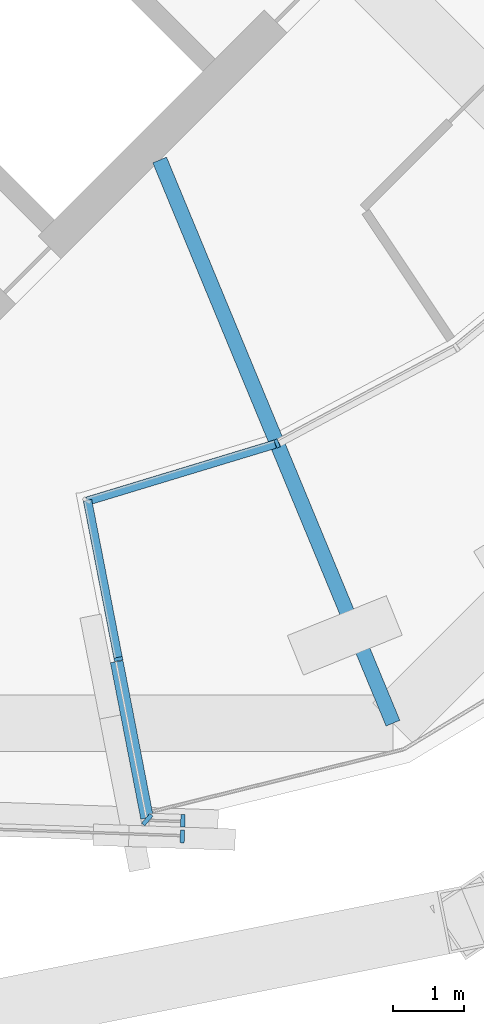
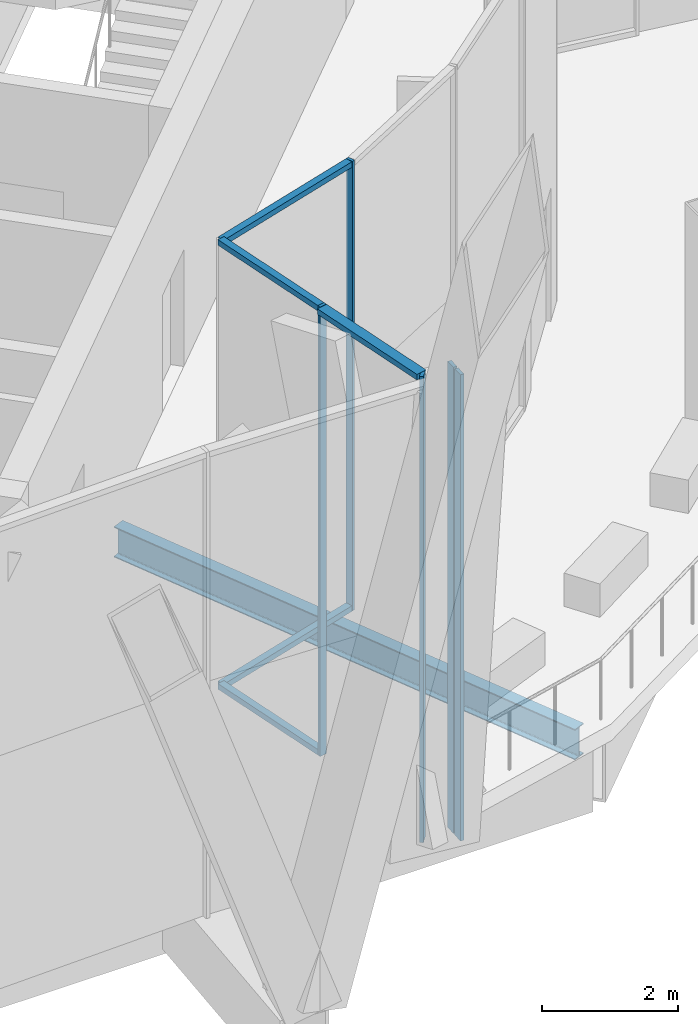
# One storey, part 16 of 38: 10 members, 1 beam, 3 elements without a shape of their own.
"""IFC4 building model written with IfcOpenShell, lengths in metres."""

from ifc_helpers import new_model, si_unit, direction, frame, origin, origin_2d, place, context, subcontext, project, spatial, rectangle, i_section, extrude, material, material_profile, profile_set, type_object, element, aggregate, save


model = new_model("IFC4")

# Units and contexts
model_context = context("Model", 3, precision=1e-05, world=origin(), true_north=direction((0.0, 1.0)))
body_context = subcontext(model_context, "Body", "Model", "MODEL_VIEW")
ifc_project = project(units=[si_unit("LENGTHUNIT", "METRE"), si_unit("AREAUNIT", "SQUARE_METRE"), si_unit("VOLUMEUNIT", "CUBIC_METRE"), si_unit("PLANEANGLEUNIT", "RADIAN"), si_unit("MASSUNIT", "GRAM", prefix="KILO")], contexts=[model_context])

# Site, building, storey
site_placement = place(None, origin())
site = spatial("IfcSite", under=ifc_project, at=site_placement, CompositionType="ELEMENT")
building_placement = place(site_placement, origin())
building = spatial("IfcBuilding", under=site, at=building_placement, Name="Ogive Gate Towers", CompositionType="ELEMENT")
storey_placement = place(building_placement, frame((0.0, 0.0, 268.800048828125)))
storey = spatial("IfcBuildingStorey", under=building, at=storey_placement, Name="L63", CompositionType="ELEMENT", Elevation=268.800048828125)

# Beam
ifc_material_1 = material(Name="Steel SM355", Category="steel")
ifc_material_profile_1 = material_profile(ifc_material_1, i_section(OverallWidth=0.2099609375, OverallDepth=0.550048828125, WebThickness=0.010986328125, FlangeThickness=0.01708984375, FilletRadius=0.02392578125, at=origin_2d()), Name="IPE 550")
ifc_profile_set_1 = profile_set([ifc_material_profile_1], Name="Steel SM355")
beam_type = type_object("IfcBeamType", Name="Radial floor beam IPE 550", PredefinedType="BEAM", material=ifc_profile_set_1)
beam_placement = place(storey_placement, frame((39.93505859375, -9.5, -0.574951171875), z_axis=(0.382694515667, -0.923874941579, 0.0), x_axis=(0.923874941579, 0.382694515667, 0.0)))
element("IfcBeam", 1, at=beam_placement, inside=storey, type_object=beam_type, Name="T2/L63/SBM005", PredefinedType="BEAM", context=body_context, shape_type="SweptSolid", body=[
    extrude(i_section(OverallWidth=0.2099609375, OverallDepth=0.550048828125, WebThickness=0.010986328125, FlangeThickness=0.01708984375, FilletRadius=0.02392578125, at=origin_2d()), origin(), (0.0, 0.0, 1.0), 8.5771484375),
])

# Curtain wall, members
ifc_material_2 = material(Name="Pale metal aluminium", Category="aluminium")
curtain_wall_type_1 = type_object("IfcCurtainWallType", Name="Sky garden glazing", PredefinedType="NOTDEFINED", material=ifc_material_2)
curtain_wall_1_placement = place(storey_placement, origin())
curtain_wall_1 = element("IfcCurtainWall", 2, at=curtain_wall_1_placement, inside=storey, type_object=curtain_wall_type_1, Name="CW4 T2 ECW01", PredefinedType="NOTDEFINED")
ifc_material_profile_2 = material_profile(ifc_material_2, rectangle(XDim=0.1201171875, YDim=0.050048828125, at=origin_2d()), Name="50 x 120 aluminium box")
ifc_profile_set_2 = profile_set([ifc_material_profile_2], Name="Pale metal aluminium")
member_type_1 = type_object("IfcMemberType", Name="Sky garden glazing mullion 50 x 120", PredefinedType="MULLION", material=ifc_profile_set_2)
member_1_placement = place(storey_placement, frame((41.58740234375, -13.489013671875, 0.0), z_axis=(0.0, 0.0, 1.0), x_axis=(-0.382683432365, 0.923879532511, 0.0)))
member_1 = element("IfcMember", 3, at=member_1_placement, type_object=member_type_1, Name="CW4 mullion", PredefinedType="MULLION", context=body_context, shape_type="SweptSolid", body=[
    extrude(rectangle(XDim=0.1201171875, YDim=0.050048828125, at=origin_2d()), origin(), (0.0, 0.0, 1.0), 8.099853515625),
])
member_2_placement = place(storey_placement, frame((39.354248046875, -16.522216796875, 0.0), z_axis=(0.0, 0.0, 1.0), x_axis=(-0.981623853053, -0.190826127974, 0.0)))
member_2 = element("IfcMember", 4, at=member_2_placement, type_object=member_type_1, Name="CW4 mullion", PredefinedType="MULLION", context=body_context, shape_type="SweptSolid", body=[
    extrude(rectangle(XDim=0.1201171875, YDim=0.050048828125, at=origin_2d()), origin(), (0.0, 0.0, 1.0), 8.099853515625),
])
ifc_material_profile_3 = material_profile(ifc_material_2, rectangle(XDim=0.1201171875, YDim=0.10009765625, at=origin_2d()), Name="100 x 120 aluminium box")
ifc_profile_set_3 = profile_set([ifc_material_profile_3], Name="Pale metal aluminium")
member_type_2 = type_object("IfcMemberType", Name="Sky garden glazing transom 100 x 120", PredefinedType="USERDEFINED", material=ifc_profile_set_3)
member_3_placement = place(storey_placement, frame((41.559814453125, -13.49755859375, 8.050048828125), z_axis=(-0.956940535926, -0.290284017304, 0.0), x_axis=(0.290284017304, -0.956940535926, 0.0)))
member_3 = element("IfcMember", 5, at=member_3_placement, type_object=member_type_2, Name="CW4 transom", ObjectType="TRANSOM", PredefinedType="USERDEFINED", context=body_context, shape_type="SweptSolid", body=[
    extrude(rectangle(XDim=0.1201171875, YDim=0.10009765625, at=origin_2d()), origin(), (0.0, 0.0, 1.0), 2.767822265625),
])
member_4_placement = place(storey_placement, frame((41.559814453125, -13.49755859375, 0.050048828125), z_axis=(-0.956940535926, -0.290284017304, 0.0), x_axis=(0.290284017304, -0.956940535926, 0.0)))
member_4 = element("IfcMember", 6, at=member_4_placement, type_object=member_type_2, Name="CW4 transom", ObjectType="TRANSOM", PredefinedType="USERDEFINED", context=body_context, shape_type="SweptSolid", body=[
    extrude(rectangle(XDim=0.1201171875, YDim=0.10009765625, at=origin_2d()), origin(), (0.0, 0.0, 1.0), 2.767822265625),
])
member_5_placement = place(storey_placement, frame((38.919677734375, -14.287109375, 8.050048828125), z_axis=(0.190901576075, -0.981609183052, 0.0), x_axis=(0.981609183052, 0.190901576075, 0.0)))
member_5 = element("IfcMember", 7, at=member_5_placement, type_object=member_type_2, Name="CW4 transom", ObjectType="TRANSOM", PredefinedType="USERDEFINED", context=body_context, shape_type="SweptSolid", body=[
    extrude(rectangle(XDim=0.1201171875, YDim=0.10009765625, at=origin_2d()), origin(), (0.0, 0.0, 1.0), 2.252197265625),
])
member_6_placement = place(storey_placement, frame((38.919677734375, -14.287109375, 0.050048828125), z_axis=(0.190901576075, -0.981609183052, 0.0), x_axis=(0.981609183052, 0.190901576075, 0.0)))
member_6 = element("IfcMember", 8, at=member_6_placement, type_object=member_type_2, Name="CW4 transom", ObjectType="TRANSOM", PredefinedType="USERDEFINED", context=body_context, shape_type="SweptSolid", body=[
    extrude(rectangle(XDim=0.1201171875, YDim=0.10009765625, at=origin_2d()), origin(), (0.0, 0.0, 1.0), 2.252197265625),
])
aggregate(curtain_wall_1, [member_1, member_3, member_4, member_2, member_5, member_6])

curtain_wall_type_2 = type_object("IfcCurtainWallType", Name="Tower unitised wall, high zone", PredefinedType="NOTDEFINED", material=ifc_material_2)
curtain_wall_2_placement = place(storey_placement, origin())
curtain_wall_2 = element("IfcCurtainWall", 9, at=curtain_wall_2_placement, inside=storey, type_object=curtain_wall_type_2, Name="CW2 T2 ECW09", PredefinedType="NOTDEFINED")
ifc_material_profile_4 = material_profile(ifc_material_2, rectangle(XDim=0.179931640625, YDim=0.06005859375, at=origin_2d()), Name="60 x 180 aluminium box")
ifc_profile_set_4 = profile_set([ifc_material_profile_4], Name="Pale metal aluminium")
member_type_3 = type_object("IfcMemberType", Name="Tower unitised wall, high zone mullion 60 x 180", PredefinedType="MULLION", material=ifc_profile_set_4)
member_7_placement = place(storey_placement, frame((39.7607421875, -18.7822265625, -0.300048828125), z_axis=(0.0, 0.0, 1.0), x_axis=(-0.649328596029, -0.760507971279, 0.0)))
member_7 = element("IfcMember", 10, at=member_7_placement, type_object=member_type_3, Name="CW2 mullion", PredefinedType="MULLION", context=body_context, shape_type="SweptSolid", body=[
    extrude(rectangle(XDim=0.179931640625, YDim=0.06005859375, at=origin_2d()), origin(), (0.0, 0.0, 1.0), 8.39990234375),
])
member_8_placement = place(storey_placement, frame((40.260986328125, -18.79736328125, -0.300048828125), z_axis=(0.0, 0.0, 1.0), x_axis=(-0.034533198497, -0.999403551225, 0.0)))
member_8 = element("IfcMember", 11, at=member_8_placement, type_object=member_type_3, Name="CW2 mullion", PredefinedType="MULLION", context=body_context, shape_type="SweptSolid", body=[
    extrude(rectangle(XDim=0.179931640625, YDim=0.06005859375, at=origin_2d()), origin(), (0.0, 0.0, 1.0), 8.39990234375),
])

# Curtain wall, member
curtain_wall_3_placement = place(storey_placement, origin())
curtain_wall_3 = element("IfcCurtainWall", 12, at=curtain_wall_3_placement, inside=storey, type_object=curtain_wall_type_2, Name="CW2 T2 ECW09b", PredefinedType="NOTDEFINED")
member_9_placement = place(storey_placement, frame((40.25341796875, -19.01708984375, -0.300048828125), z_axis=(0.0, 0.0, 1.0), x_axis=(0.034533198497, 0.999403551225, 0.0)))
member_9 = element("IfcMember", 13, at=member_9_placement, type_object=member_type_3, Name="CW2 mullion", PredefinedType="MULLION", context=body_context, shape_type="SweptSolid", body=[
    extrude(rectangle(XDim=0.179931640625, YDim=0.06005859375, at=origin_2d()), origin(), (0.0, 0.0, 1.0), 8.39990234375),
])
aggregate(curtain_wall_3, [member_9])

# Member
ifc_material_profile_5 = material_profile(ifc_material_2, rectangle(XDim=0.179931640625, YDim=0.10009765625, at=origin_2d()), Name="100 x 180 aluminium box")
ifc_profile_set_5 = profile_set([ifc_material_profile_5], Name="Pale metal aluminium")
member_type_4 = type_object("IfcMemberType", Name="Tower unitised wall, high zone transom 100 x 180", PredefinedType="USERDEFINED", material=ifc_profile_set_5)
member_10_placement = place(storey_placement, frame((39.33056640625, -16.557373046875, 8.050048828125), z_axis=(0.190773479674, -0.981634086334, 0.0), x_axis=(0.981634086334, 0.190773479674, 0.0)))
member_10 = element("IfcMember", 14, at=member_10_placement, type_object=member_type_4, Name="CW2 transom", ObjectType="TRANSOM", PredefinedType="USERDEFINED", context=body_context, shape_type="SweptSolid", body=[
    extrude(rectangle(XDim=0.179931640625, YDim=0.10009765625, at=origin_2d()), origin(), (0.0, 0.0, 1.0), 2.2421875),
])

aggregate(curtain_wall_2, [member_7, member_10, member_8])

save(model, "model.ifc")
